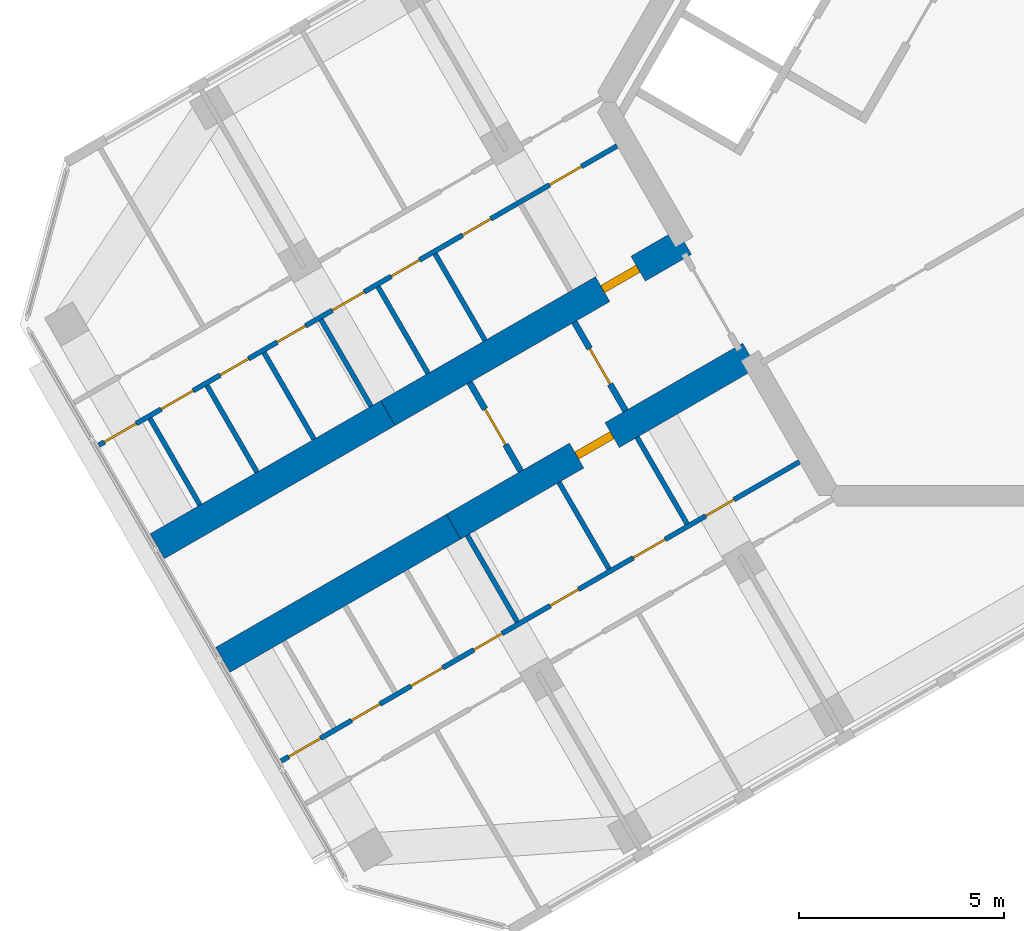
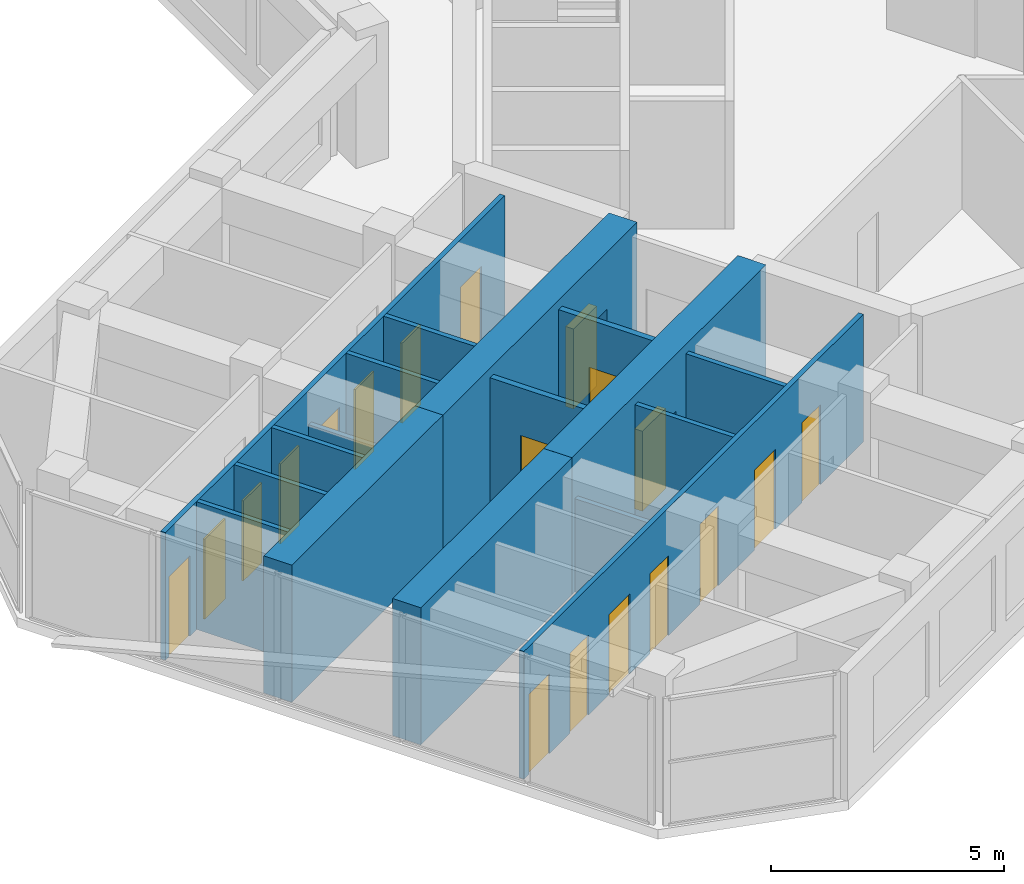
# One storey, part 7 of 14: 19 doors, 17 walls, 19 openings.
"""IFC4 building model written with IfcOpenShell, lengths in metres."""

from ifc_helpers import new_model, si_unit, direction, frame, frame_2d, origin, place, context, subcontext, project, spatial, rectangle, extrude, material, layer, layer_set, type_object, element, fill, save


model = new_model("IFC4")

# Units and contexts
model_context = context("Model", 3, precision=1e-05, world=origin(), true_north=direction((0.0, 1.0)))
body_context = subcontext(model_context, "Body", "Model", "MODEL_VIEW")
ifc_project = project(units=[si_unit("LENGTHUNIT", "METRE"), si_unit("AREAUNIT", "SQUARE_METRE"), si_unit("VOLUMEUNIT", "CUBIC_METRE"), si_unit("PLANEANGLEUNIT", "RADIAN"), si_unit("MASSUNIT", "GRAM", prefix="KILO")], contexts=[model_context])

# Site, building, storey
site_placement = place(None, origin())
site = spatial("IfcSite", under=ifc_project, at=site_placement, CompositionType="ELEMENT")
building_placement = place(site_placement, origin())
building = spatial("IfcBuilding", under=site, at=building_placement, Name="Kosmar Iwan School Tower", CompositionType="ELEMENT")
storey_placement = place(building_placement, frame((0.0, 0.0, 292.60009765625)))
storey = spatial("IfcBuildingStorey", under=building, at=storey_placement, Name="L74", CompositionType="ELEMENT", Elevation=292.60009765625)

# Wall, opening, door
ifc_material_1 = material(Name="Concrete C50/60", Category="concrete")
ifc_layer_1 = layer(ifc_material_1, 0.699951171875)
ifc_layer_set_1 = layer_set([ifc_layer_1], Name="Corridor buttress wall 700")
wall_type_1 = type_object("IfcWallType", Name="Corridor buttress wall 700", PredefinedType="SHEAR", material=ifc_layer_set_1)
wall_1_placement = place(storey_placement, frame((-7.513916015625, -6.185546875, 0.0), z_axis=(0.0, 0.0, 1.0), x_axis=(-0.866019549707, -0.500010139422, 0.0)))
wall_1 = element("IfcWall", 1, at=wall_1_placement, inside=storey, type_object=wall_type_1, Name="Corridor wall BL", PredefinedType="SHEAR", context=body_context, shape_type="SweptSolid", body=[
    extrude(rectangle(XDim=8.349853515625, YDim=0.699951171875, at=frame_2d((4.1748046875, 0.0))), origin(), (0.0, 0.0, 1.0), 3.599853515625),
])
opening_1_placement = place(wall_1_placement, frame((3.8798828125, 0.0, 0.0)))
opening_1 = element("IfcOpeningElement", 2, at=opening_1_placement, cuts=wall_1, Name="Opening D1", PredefinedType="OPENING", context=body_context, shape_type="SweptSolid", body=[
    extrude(rectangle(XDim=1.0, YDim=2.10009765625, at=frame_2d((0.5, 1.050048828125))), frame((0.0, 0.362060546875, 0.0), z_axis=(0.0, -1.0, 0.0), x_axis=(1.0, 0.0, 0.0)), (0.0, 0.0, 1.0), 0.723876953125),
])
ifc_material_2 = material(Name="Timber fire door in steel frame", Category="steel")
door_type_1 = type_object("IfcDoorType", Name="Flat entrance door 1000x2100", OperationType="SINGLE_SWING_LEFT", PredefinedType="DOOR", material=ifc_material_2)
door_1_placement = place(opening_1_placement, origin())
door_1 = element("IfcDoor", 3, at=door_1_placement, inside=storey, type_object=door_type_1, Name="Flat L74-BL1 entrance door", OperationType="SINGLE_SWING_LEFT", OverallHeight=2.10009765625, OverallWidth=1.0, PredefinedType="DOOR", context=body_context, shape_type="SweptSolid", body=[
    extrude(rectangle(XDim=1.0, YDim=2.10009765625, at=frame_2d((0.5, 1.050048828125))), frame((0.0, 0.10009765625, 0.0), z_axis=(0.0, -1.0, 0.0), x_axis=(1.0, 0.0, 0.0)), (0.0, 0.0, 1.0), 0.199951171875),
])
fill(opening_1, door_1)

# Wall
wall_2_placement = place(storey_placement, frame((-14.7451171875, -10.360595703125, 0.0), z_axis=(0.0, 0.0, 1.0), x_axis=(-0.866027848477, -0.499995765644, 0.0)))
element("IfcWall", 4, at=wall_2_placement, inside=storey, type_object=wall_type_1, Name="Corridor wall BL bay 2", PredefinedType="SHEAR", context=body_context, shape_type="SweptSolid", body=[
    extrude(rectangle(XDim=6.4951171875, YDim=0.699951171875, at=frame_2d((3.24755859375, 0.0))), origin(), (0.0, 0.0, 1.0), 3.599853515625),
])

# Wall, opening, door
wall_3_placement = place(storey_placement, frame((-9.11376953125, -3.414306640625, 0.0), z_axis=(0.0, 0.0, 1.0), x_axis=(-0.866026859388, -0.499997478812, 0.0)))
wall_3 = element("IfcWall", 5, at=wall_3_placement, inside=storey, type_object=wall_type_1, Name="Corridor wall BR", PredefinedType="SHEAR", context=body_context, shape_type="SweptSolid", body=[
    extrude(rectangle(XDim=8.35009765625, YDim=0.699951171875, at=frame_2d((4.175048828125, 0.0))), origin(), (0.0, 0.0, 1.0), 3.599853515625),
])
opening_2_placement = place(wall_3_placement, frame((1.300048828125, 0.0, 0.0)))
opening_2 = element("IfcOpeningElement", 6, at=opening_2_placement, cuts=wall_3, Name="Opening D1", PredefinedType="OPENING", context=body_context, shape_type="SweptSolid", body=[
    extrude(rectangle(XDim=1.0, YDim=2.10009765625, at=frame_2d((0.5, 1.050048828125))), frame((0.0, 0.362060546875, 0.0), z_axis=(0.0, -1.0, 0.0), x_axis=(1.0, 0.0, 0.0)), (0.0, 0.0, 1.0), 0.723876953125),
])
door_2_placement = place(opening_2_placement, origin())
door_2 = element("IfcDoor", 7, at=door_2_placement, inside=storey, type_object=door_type_1, Name="Flat L74-BR1 entrance door", OperationType="SINGLE_SWING_RIGHT", OverallHeight=2.10009765625, OverallWidth=1.0, PredefinedType="DOOR", context=body_context, shape_type="SweptSolid", body=[
    extrude(rectangle(XDim=1.0, YDim=2.10009765625, at=frame_2d((0.5, 1.050048828125))), frame((0.0, 0.10009765625, 0.0), z_axis=(0.0, -1.0, 0.0), x_axis=(1.0, 0.0, 0.0)), (0.0, 0.0, 1.0), 0.199951171875),
])
fill(opening_2, door_2)

# Wall
wall_4_placement = place(storey_placement, frame((-16.34521484375, -7.58935546875, 0.0), z_axis=(0.0, 0.0, 1.0), x_axis=(-0.866018451174, -0.500012042081, 0.0)))
element("IfcWall", 8, at=wall_4_placement, inside=storey, type_object=wall_type_1, Name="Corridor wall BR bay 2", PredefinedType="SHEAR", context=body_context, shape_type="SweptSolid", body=[
    extrude(rectangle(XDim=6.494873046875, YDim=0.699951171875, at=frame_2d((3.24755859375, 0.0))), origin(), (0.0, 0.0, 1.0), 3.599853515625),
])

# Wall, opening, door
ifc_material_3 = material(Name="Gypsum board on steel studs, fire-rated", Category="steel")
ifc_layer_2 = layer(ifc_material_3, 0.14990234375)
ifc_layer_set_2 = layer_set([ifc_layer_2], Name="Corridor end wall 150")
wall_type_2 = type_object("IfcWallType", Name="Corridor end wall 150", PredefinedType="PARTITIONING", material=ifc_layer_set_2)
wall_5_placement = place(storey_placement, frame((-14.3515625, -6.842529296875, 0.0), z_axis=(0.0, 0.0, 1.0), x_axis=(0.500004234368, -0.866022959057, 0.0)))
wall_5 = element("IfcWall", 9, at=wall_5_placement, inside=storey, type_object=wall_type_2, Name="Partition L74-B-CE", PredefinedType="PARTITIONING", context=body_context, shape_type="SweptSolid", body=[
    extrude(rectangle(XDim=2.5, YDim=0.14990234375, at=frame_2d((1.25, 0.0))), origin(), (0.0, 0.0, 1.0), 3.349853515625),
])
opening_3_placement = place(wall_5_placement, frame((0.75, 0.0, 0.0)))
opening_3 = element("IfcOpeningElement", 10, at=opening_3_placement, cuts=wall_5, Name="Opening D13", PredefinedType="OPENING", context=body_context, shape_type="SweptSolid", body=[
    extrude(rectangle(XDim=1.0, YDim=2.10009765625, at=frame_2d((0.5, 1.050048828125))), frame((0.0, 0.0869140625, 0.0), z_axis=(0.0, -1.0, 0.0), x_axis=(1.0, 0.0, 0.0)), (0.0, 0.0, 1.0), 0.173828125),
])
ifc_material_4 = material(Name="Timber fire door with vision panel", Category="wood")
door_type_2 = type_object("IfcDoorType", Name="Corridor end door 1000x2100", OperationType="SINGLE_SWING_LEFT", PredefinedType="DOOR", material=ifc_material_4)
door_3_placement = place(opening_3_placement, origin())
door_3 = element("IfcDoor", 11, at=door_3_placement, inside=storey, type_object=door_type_2, Name="Prayer room door L74-B", OperationType="SINGLE_SWING_LEFT", OverallHeight=2.10009765625, OverallWidth=1.0, PredefinedType="DOOR", context=body_context, shape_type="SweptSolid", body=[
    extrude(rectangle(XDim=1.0, YDim=2.10009765625, at=frame_2d((0.5, 1.050048828125))), frame((0.0, 0.02490234375, 0.0), z_axis=(0.0, -1.0, 0.0), x_axis=(1.0, 0.0, 0.0)), (0.0, 0.0, 1.0), 0.050048828125),
])
fill(opening_3, door_3)

wall_6_placement = place(storey_placement, frame((-11.796630859375, -5.367431640625, 0.0), z_axis=(0.0, 0.0, 1.0), x_axis=(0.500004234368, -0.866022959057, 0.0)))
wall_6 = element("IfcWall", 12, at=wall_6_placement, inside=storey, type_object=wall_type_2, Name="Partition L74-B-HW", PredefinedType="PARTITIONING", context=body_context, shape_type="SweptSolid", body=[
    extrude(rectangle(XDim=2.5, YDim=0.14990234375, at=frame_2d((1.25, 0.0))), origin(), (0.0, 0.0, 1.0), 3.349853515625),
])
opening_4_placement = place(wall_6_placement, frame((0.75, 0.0, 0.0)))
opening_4 = element("IfcOpeningElement", 13, at=opening_4_placement, cuts=wall_6, Name="Opening D13", PredefinedType="OPENING", context=body_context, shape_type="SweptSolid", body=[
    extrude(rectangle(XDim=1.0, YDim=2.10009765625, at=frame_2d((0.5, 1.050048828125))), frame((0.0, 0.0869140625, 0.0), z_axis=(0.0, -1.0, 0.0), x_axis=(1.0, 0.0, 0.0)), (0.0, 0.0, 1.0), 0.173828125),
])
door_4_placement = place(opening_4_placement, origin())
door_4 = element("IfcDoor", 14, at=door_4_placement, inside=storey, type_object=door_type_2, Name="Entrance door L74-B", OperationType="SINGLE_SWING_RIGHT", OverallHeight=2.10009765625, OverallWidth=1.0, PredefinedType="DOOR", context=body_context, shape_type="SweptSolid", body=[
    extrude(rectangle(XDim=1.0, YDim=2.10009765625, at=frame_2d((0.5, 1.050048828125))), frame((0.0, 0.02490234375, 0.0), z_axis=(0.0, -1.0, 0.0), x_axis=(1.0, 0.0, 0.0)), (0.0, 0.0, 1.0), 0.050048828125),
])
fill(opening_4, door_4)

# Wall, openings, doors
ifc_material_5 = material(Name="Gypsum board on steel studs", Category="steel")
ifc_layer_3 = layer(ifc_material_5, 0.1201171875)
ifc_layer_set_3 = layer_set([ifc_layer_3], Name="Dwelling partition 120")
wall_type_3 = type_object("IfcWallType", Name="Dwelling partition 120", PredefinedType="PARTITIONING", material=ifc_layer_set_3)
wall_7_placement = place(storey_placement, frame((-6.305419921875, -8.77880859375, 0.0), z_axis=(0.0, 0.0, 1.0), x_axis=(-0.866022348096, -0.50000529257, 0.0)))
wall_7 = element("IfcWall", 15, at=wall_7_placement, inside=storey, type_object=wall_type_3, Name="Partition L74-BL1-W1", PredefinedType="PARTITIONING", context=body_context, shape_type="SweptSolid", body=[
    extrude(rectangle(XDim=14.594970703125, YDim=0.1201171875, at=frame_2d((7.29736328125, 0.0))), origin(), (0.0, 0.0, 1.0), 3.349853515625),
])
opening_5_placement = place(wall_7_placement, frame((1.840087890625, 0.0, 0.0)))
opening_5 = element("IfcOpeningElement", 16, at=opening_5_placement, cuts=wall_7, Name="Opening D3", PredefinedType="OPENING", context=body_context, shape_type="SweptSolid", body=[
    extrude(rectangle(XDim=0.800048828125, YDim=2.10009765625, at=frame_2d((0.39990234375, 1.050048828125))), frame((0.0, 0.072021484375, 0.0), z_axis=(0.0, -1.0, 0.0), x_axis=(1.0, 0.0, 0.0)), (0.0, 0.0, 1.0), 0.14404296875),
])
opening_6_placement = place(wall_7_placement, frame((3.780029296875, 0.0, 0.0)))
opening_6 = element("IfcOpeningElement", 17, at=opening_6_placement, cuts=wall_7, Name="Opening D2", PredefinedType="OPENING", context=body_context, shape_type="SweptSolid", body=[
    extrude(rectangle(XDim=0.89990234375, YDim=2.10009765625, at=frame_2d((0.449951171875, 1.050048828125))), frame((0.0, 0.072021484375, 0.0), z_axis=(0.0, -1.0, 0.0), x_axis=(1.0, 0.0, 0.0)), (0.0, 0.0, 1.0), 0.14404296875),
])
opening_7_placement = place(wall_7_placement, frame((6.221435546875, 0.0, 0.0)))
opening_7 = element("IfcOpeningElement", 18, at=opening_7_placement, cuts=wall_7, Name="Opening D3", PredefinedType="OPENING", context=body_context, shape_type="SweptSolid", body=[
    extrude(rectangle(XDim=0.800048828125, YDim=2.10009765625, at=frame_2d((0.39990234375, 1.050048828125))), frame((0.0, 0.072021484375, 0.0), z_axis=(0.0, -1.0, 0.0), x_axis=(1.0, 0.0, 0.0)), (0.0, 0.0, 1.0), 0.14404296875),
])
opening_8_placement = place(wall_7_placement, frame((8.37353515625, 0.0, 0.0)))
opening_8 = element("IfcOpeningElement", 19, at=opening_8_placement, cuts=wall_7, Name="Opening D3", PredefinedType="OPENING", context=body_context, shape_type="SweptSolid", body=[
    extrude(rectangle(XDim=0.800048828125, YDim=2.10009765625, at=frame_2d((0.39990234375, 1.050048828125))), frame((0.0, 0.072021484375, 0.0), z_axis=(0.0, -1.0, 0.0), x_axis=(1.0, 0.0, 0.0)), (0.0, 0.0, 1.0), 0.14404296875),
])
opening_9_placement = place(wall_7_placement, frame((10.04541015625, 0.0, 0.0)))
opening_9 = element("IfcOpeningElement", 20, at=opening_9_placement, cuts=wall_7, Name="Opening D2", PredefinedType="OPENING", context=body_context, shape_type="SweptSolid", body=[
    extrude(rectangle(XDim=0.89990234375, YDim=2.10009765625, at=frame_2d((0.449951171875, 1.050048828125))), frame((0.0, 0.072021484375, 0.0), z_axis=(0.0, -1.0, 0.0), x_axis=(1.0, 0.0, 0.0)), (0.0, 0.0, 1.0), 0.14404296875),
])
opening_10_placement = place(wall_7_placement, frame((11.8173828125, 0.0, 0.0)))
opening_10 = element("IfcOpeningElement", 21, at=opening_10_placement, cuts=wall_7, Name="Opening D3", PredefinedType="OPENING", context=body_context, shape_type="SweptSolid", body=[
    extrude(rectangle(XDim=0.800048828125, YDim=2.10009765625, at=frame_2d((0.39990234375, 1.050048828125))), frame((0.0, 0.072021484375, 0.0), z_axis=(0.0, -1.0, 0.0), x_axis=(1.0, 0.0, 0.0)), (0.0, 0.0, 1.0), 0.14404296875),
])
opening_11_placement = place(wall_7_placement, frame((13.489013671875, 0.0, 0.0)))
opening_11 = element("IfcOpeningElement", 22, at=opening_11_placement, cuts=wall_7, Name="Opening D2", PredefinedType="OPENING", context=body_context, shape_type="SweptSolid", body=[
    extrude(rectangle(XDim=0.89990234375, YDim=2.10009765625, at=frame_2d((0.449951171875, 1.050048828125))), frame((0.0, 0.072021484375, 0.0), z_axis=(0.0, -1.0, 0.0), x_axis=(1.0, 0.0, 0.0)), (0.0, 0.0, 1.0), 0.14404296875),
])
ifc_material_6 = material(Name="Timber door in timber frame", Category="wood")
door_type_3 = type_object("IfcDoorType", Name="Internal door 900x2100", OperationType="SINGLE_SWING_LEFT", PredefinedType="DOOR", material=ifc_material_6)
door_5_placement = place(opening_6_placement, origin())
door_5 = element("IfcDoor", 23, at=door_5_placement, inside=storey, type_object=door_type_3, Name="Entrance hall door L74-BL1-S2", OperationType="SINGLE_SWING_LEFT", OverallHeight=2.10009765625, OverallWidth=0.89990234375, PredefinedType="DOOR", context=body_context, shape_type="SweptSolid", body=[
    extrude(rectangle(XDim=0.89990234375, YDim=2.10009765625, at=frame_2d((0.449951171875, 1.050048828125))), frame((0.0, 0.02490234375, 0.0), z_axis=(0.0, -1.0, 0.0), x_axis=(1.0, 0.0, 0.0)), (0.0, 0.0, 1.0), 0.050048828125),
])
fill(opening_6, door_5)
door_6_placement = place(opening_9_placement, origin())
door_6 = element("IfcDoor", 24, at=door_6_placement, inside=storey, type_object=door_type_3, Name="Pantry door L74-BL1-S5", OperationType="SINGLE_SWING_RIGHT", OverallHeight=2.10009765625, OverallWidth=0.89990234375, PredefinedType="DOOR", context=body_context, shape_type="SweptSolid", body=[
    extrude(rectangle(XDim=0.89990234375, YDim=2.10009765625, at=frame_2d((0.449951171875, 1.050048828125))), frame((0.0, 0.02490234375, 0.0), z_axis=(0.0, -1.0, 0.0), x_axis=(1.0, 0.0, 0.0)), (0.0, 0.0, 1.0), 0.050048828125),
])
fill(opening_9, door_6)
door_7_placement = place(opening_11_placement, origin())
door_7 = element("IfcDoor", 25, at=door_7_placement, inside=storey, type_object=door_type_3, Name="Utility room door L74-BL1-S7", OperationType="SINGLE_SWING_RIGHT", OverallHeight=2.10009765625, OverallWidth=0.89990234375, PredefinedType="DOOR", context=body_context, shape_type="SweptSolid", body=[
    extrude(rectangle(XDim=0.89990234375, YDim=2.10009765625, at=frame_2d((0.449951171875, 1.050048828125))), frame((0.0, 0.02490234375, 0.0), z_axis=(0.0, -1.0, 0.0), x_axis=(1.0, 0.0, 0.0)), (0.0, 0.0, 1.0), 0.050048828125),
])
fill(opening_11, door_7)
ifc_material_7 = material(Name="Timber door in timber frame", Category="wood")
door_type_4 = type_object("IfcDoorType", Name="Sanitary room door 800x2100", OperationType="SINGLE_SWING_LEFT", PredefinedType="DOOR", material=ifc_material_7)
door_8_placement = place(opening_5_placement, origin())
door_8 = element("IfcDoor", 26, at=door_8_placement, inside=storey, type_object=door_type_4, Name="Store door L74-BL1-S1", OperationType="SINGLE_SWING_LEFT", OverallHeight=2.10009765625, OverallWidth=0.800048828125, PredefinedType="DOOR", context=body_context, shape_type="SweptSolid", body=[
    extrude(rectangle(XDim=0.800048828125, YDim=2.10009765625, at=frame_2d((0.39990234375, 1.050048828125))), frame((0.0, 0.02490234375, 0.0), z_axis=(0.0, -1.0, 0.0), x_axis=(1.0, 0.0, 0.0)), (0.0, 0.0, 1.0), 0.050048828125),
])
fill(opening_5, door_8)
door_9_placement = place(opening_7_placement, origin())
door_9 = element("IfcDoor", 27, at=door_9_placement, inside=storey, type_object=door_type_4, Name="Bathroom door L74-BL1-S3", OperationType="SINGLE_SWING_LEFT", OverallHeight=2.10009765625, OverallWidth=0.800048828125, PredefinedType="DOOR", context=body_context, shape_type="SweptSolid", body=[
    extrude(rectangle(XDim=0.800048828125, YDim=2.10009765625, at=frame_2d((0.39990234375, 1.050048828125))), frame((0.0, 0.02490234375, 0.0), z_axis=(0.0, -1.0, 0.0), x_axis=(1.0, 0.0, 0.0)), (0.0, 0.0, 1.0), 0.050048828125),
])
fill(opening_7, door_9)
door_10_placement = place(opening_8_placement, origin())
door_10 = element("IfcDoor", 28, at=door_10_placement, inside=storey, type_object=door_type_4, Name="Shower room door L74-BL1-S4", OperationType="SINGLE_SWING_RIGHT", OverallHeight=2.10009765625, OverallWidth=0.800048828125, PredefinedType="DOOR", context=body_context, shape_type="SweptSolid", body=[
    extrude(rectangle(XDim=0.800048828125, YDim=2.10009765625, at=frame_2d((0.39990234375, 1.050048828125))), frame((0.0, 0.02490234375, 0.0), z_axis=(0.0, -1.0, 0.0), x_axis=(1.0, 0.0, 0.0)), (0.0, 0.0, 1.0), 0.050048828125),
])
fill(opening_8, door_10)
door_11_placement = place(opening_10_placement, origin())
door_11 = element("IfcDoor", 29, at=door_11_placement, inside=storey, type_object=door_type_4, Name="WC door L74-BL1-S6", OperationType="SINGLE_SWING_RIGHT", OverallHeight=2.10009765625, OverallWidth=0.800048828125, PredefinedType="DOOR", context=body_context, shape_type="SweptSolid", body=[
    extrude(rectangle(XDim=0.800048828125, YDim=2.10009765625, at=frame_2d((0.39990234375, 1.050048828125))), frame((0.0, 0.02490234375, 0.0), z_axis=(0.0, -1.0, 0.0), x_axis=(1.0, 0.0, 0.0)), (0.0, 0.0, 1.0), 0.050048828125),
])
fill(opening_10, door_11)

# Walls
for number, where, z_axis, x_axis, name in (
    (30, (-10.26611328125, -8.1787109375, 0.0), (0.0, 0.0, 1.0), (0.500077547548, -0.865980627057, 0.0), "Partition L74-BL1-Y1"),
    (31, (-12.17138671875, -9.27880859375, 0.0), (0.0, 0.0, 1.0), (0.500077547548, -0.865980627057, 0.0), "Partition L74-BL1-Y2"),
):
    element("IfcWall", number, at=place(storey_placement, frame(where, z_axis=z_axis, x_axis=x_axis)), inside=storey, type_object=wall_type_3, Name=name, PredefinedType="PARTITIONING", context=body_context, shape_type="SweptSolid", body=[
        extrude(rectangle(XDim=2.43994140625, YDim=0.1201171875, at=frame_2d((1.219970703125, 0.0))), origin(), (0.0, 0.0, 1.0), 3.349853515625),
    ])
wall_8_placement = place(storey_placement, frame((-14.407958984375, -10.570068359375, 0.0), z_axis=(0.0, 0.0, 1.0), x_axis=(0.500002508028, -0.866023955769, 0.0)))
element("IfcWall", 32, at=wall_8_placement, inside=storey, type_object=wall_type_3, Name="Partition L74-BL1-Y3", PredefinedType="PARTITIONING", context=body_context, shape_type="SweptSolid", body=[
    extrude(rectangle(XDim=2.43994140625, YDim=0.1201171875, at=frame_2d((1.219970703125, 0.0))), origin(), (0.0, 0.0, 1.0), 2.449951171875),
])

# Wall, openings, doors
wall_9_placement = place(storey_placement, frame((-10.75537109375, -1.0712890625, 0.0), z_axis=(0.0, 0.0, 1.0), x_axis=(-0.866029591389, -0.499992746786, 0.0)))
wall_9 = element("IfcWall", 33, at=wall_9_placement, inside=storey, type_object=wall_type_3, Name="Partition L74-BR1-W1", PredefinedType="PARTITIONING", context=body_context, shape_type="SweptSolid", body=[
    extrude(rectangle(XDim=14.594970703125, YDim=0.1201171875, at=frame_2d((7.29736328125, 0.0))), origin(), (0.0, 0.0, 1.0), 3.349853515625),
])
opening_12_placement = place(wall_9_placement, frame((1.0, 0.0, 0.0)))
opening_12 = element("IfcOpeningElement", 34, at=opening_12_placement, cuts=wall_9, Name="Opening D2", PredefinedType="OPENING", context=body_context, shape_type="SweptSolid", body=[
    extrude(rectangle(XDim=0.89990234375, YDim=2.10009765625, at=frame_2d((0.449951171875, 1.050048828125))), frame((0.0, 0.072021484375, 0.0), z_axis=(0.0, -1.0, 0.0), x_axis=(1.0, 0.0, 0.0)), (0.0, 0.0, 1.0), 0.14404296875),
])
opening_13_placement = place(wall_9_placement, frame((3.554931640625, 0.0, 0.0)))
opening_13 = element("IfcOpeningElement", 35, at=opening_13_placement, cuts=wall_9, Name="Opening D3", PredefinedType="OPENING", context=body_context, shape_type="SweptSolid", body=[
    extrude(rectangle(XDim=0.800048828125, YDim=2.10009765625, at=frame_2d((0.39990234375, 1.050048828125))), frame((0.0, 0.072021484375, 0.0), z_axis=(0.0, -1.0, 0.0), x_axis=(1.0, 0.0, 0.0)), (0.0, 0.0, 1.0), 0.14404296875),
])
opening_14_placement = place(wall_9_placement, frame((5.563232421875, 0.0, 0.0)))
opening_14 = element("IfcOpeningElement", 36, at=opening_14_placement, cuts=wall_9, Name="Opening D3", PredefinedType="OPENING", context=body_context, shape_type="SweptSolid", body=[
    extrude(rectangle(XDim=0.800048828125, YDim=2.10009765625, at=frame_2d((0.39990234375, 1.050048828125))), frame((0.0, 0.072021484375, 0.0), z_axis=(0.0, -1.0, 0.0), x_axis=(1.0, 0.0, 0.0)), (0.0, 0.0, 1.0), 0.14404296875),
])
opening_15_placement = place(wall_9_placement, frame((7.1201171875, 0.0, 0.0)))
opening_15 = element("IfcOpeningElement", 37, at=opening_15_placement, cuts=wall_9, Name="Opening D2", PredefinedType="OPENING", context=body_context, shape_type="SweptSolid", body=[
    extrude(rectangle(XDim=0.89990234375, YDim=2.10009765625, at=frame_2d((0.449951171875, 1.050048828125))), frame((0.0, 0.072021484375, 0.0), z_axis=(0.0, -1.0, 0.0), x_axis=(1.0, 0.0, 0.0)), (0.0, 0.0, 1.0), 0.14404296875),
])
opening_16_placement = place(wall_9_placement, frame((8.776611328125, 0.0, 0.0)))
opening_16 = element("IfcOpeningElement", 38, at=opening_16_placement, cuts=wall_9, Name="Opening D3", PredefinedType="OPENING", context=body_context, shape_type="SweptSolid", body=[
    extrude(rectangle(XDim=0.800048828125, YDim=2.10009765625, at=frame_2d((0.39990234375, 1.050048828125))), frame((0.0, 0.072021484375, 0.0), z_axis=(0.0, -1.0, 0.0), x_axis=(1.0, 0.0, 0.0)), (0.0, 0.0, 1.0), 0.14404296875),
])
opening_17_placement = place(wall_9_placement, frame((10.38330078125, 0.0, 0.0)))
opening_17 = element("IfcOpeningElement", 39, at=opening_17_placement, cuts=wall_9, Name="Opening D3", PredefinedType="OPENING", context=body_context, shape_type="SweptSolid", body=[
    extrude(rectangle(XDim=0.800048828125, YDim=2.10009765625, at=frame_2d((0.39990234375, 1.050048828125))), frame((0.0, 0.072021484375, 0.0), z_axis=(0.0, -1.0, 0.0), x_axis=(1.0, 0.0, 0.0)), (0.0, 0.0, 1.0), 0.14404296875),
])
opening_18_placement = place(wall_9_placement, frame((11.93994140625, 0.0, 0.0)))
opening_18 = element("IfcOpeningElement", 40, at=opening_18_placement, cuts=wall_9, Name="Opening D2", PredefinedType="OPENING", context=body_context, shape_type="SweptSolid", body=[
    extrude(rectangle(XDim=0.89990234375, YDim=2.10009765625, at=frame_2d((0.449951171875, 1.050048828125))), frame((0.0, 0.072021484375, 0.0), z_axis=(0.0, -1.0, 0.0), x_axis=(1.0, 0.0, 0.0)), (0.0, 0.0, 1.0), 0.14404296875),
])
opening_19_placement = place(wall_9_placement, frame((13.546630859375, 0.0, 0.0)))
opening_19 = element("IfcOpeningElement", 41, at=opening_19_placement, cuts=wall_9, Name="Opening D2", PredefinedType="OPENING", context=body_context, shape_type="SweptSolid", body=[
    extrude(rectangle(XDim=0.89990234375, YDim=2.10009765625, at=frame_2d((0.449951171875, 1.050048828125))), frame((0.0, 0.072021484375, 0.0), z_axis=(0.0, -1.0, 0.0), x_axis=(1.0, 0.0, 0.0)), (0.0, 0.0, 1.0), 0.14404296875),
])
door_12_placement = place(opening_12_placement, origin())
door_12 = element("IfcDoor", 42, at=door_12_placement, inside=storey, type_object=door_type_3, Name="Entrance hall door L74-BR1-S1", OperationType="SINGLE_SWING_LEFT", OverallHeight=2.10009765625, OverallWidth=0.89990234375, PredefinedType="DOOR", context=body_context, shape_type="SweptSolid", body=[
    extrude(rectangle(XDim=0.89990234375, YDim=2.10009765625, at=frame_2d((0.449951171875, 1.050048828125))), frame((0.0, 0.02490234375, 0.0), z_axis=(0.0, -1.0, 0.0), x_axis=(1.0, 0.0, 0.0)), (0.0, 0.0, 1.0), 0.050048828125),
])
fill(opening_12, door_12)
door_13_placement = place(opening_15_placement, origin())
door_13 = element("IfcDoor", 43, at=door_13_placement, inside=storey, type_object=door_type_3, Name="Pantry door L74-BR1-S4", OperationType="SINGLE_SWING_RIGHT", OverallHeight=2.10009765625, OverallWidth=0.89990234375, PredefinedType="DOOR", context=body_context, shape_type="SweptSolid", body=[
    extrude(rectangle(XDim=0.89990234375, YDim=2.10009765625, at=frame_2d((0.449951171875, 1.050048828125))), frame((0.0, 0.02490234375, 0.0), z_axis=(0.0, -1.0, 0.0), x_axis=(1.0, 0.0, 0.0)), (0.0, 0.0, 1.0), 0.050048828125),
])
fill(opening_15, door_13)
door_14_placement = place(opening_18_placement, origin())
door_14 = element("IfcDoor", 44, at=door_14_placement, inside=storey, type_object=door_type_3, Name="Utility room door L74-BR1-S7", OperationType="SINGLE_SWING_LEFT", OverallHeight=2.10009765625, OverallWidth=0.89990234375, PredefinedType="DOOR", context=body_context, shape_type="SweptSolid", body=[
    extrude(rectangle(XDim=0.89990234375, YDim=2.10009765625, at=frame_2d((0.449951171875, 1.050048828125))), frame((0.0, 0.02490234375, 0.0), z_axis=(0.0, -1.0, 0.0), x_axis=(1.0, 0.0, 0.0)), (0.0, 0.0, 1.0), 0.050048828125),
])
fill(opening_18, door_14)
door_15_placement = place(opening_19_placement, origin())
door_15 = element("IfcDoor", 45, at=door_15_placement, inside=storey, type_object=door_type_3, Name="Dressing room door L74-BR1-S8", OperationType="SINGLE_SWING_RIGHT", OverallHeight=2.10009765625, OverallWidth=0.89990234375, PredefinedType="DOOR", context=body_context, shape_type="SweptSolid", body=[
    extrude(rectangle(XDim=0.89990234375, YDim=2.10009765625, at=frame_2d((0.449951171875, 1.050048828125))), frame((0.0, 0.02490234375, 0.0), z_axis=(0.0, -1.0, 0.0), x_axis=(1.0, 0.0, 0.0)), (0.0, 0.0, 1.0), 0.050048828125),
])
fill(opening_19, door_15)
door_16_placement = place(opening_13_placement, origin())
door_16 = element("IfcDoor", 46, at=door_16_placement, inside=storey, type_object=door_type_4, Name="Bathroom door L74-BR1-S2", OperationType="SINGLE_SWING_RIGHT", OverallHeight=2.10009765625, OverallWidth=0.800048828125, PredefinedType="DOOR", context=body_context, shape_type="SweptSolid", body=[
    extrude(rectangle(XDim=0.800048828125, YDim=2.10009765625, at=frame_2d((0.39990234375, 1.050048828125))), frame((0.0, 0.02490234375, 0.0), z_axis=(0.0, -1.0, 0.0), x_axis=(1.0, 0.0, 0.0)), (0.0, 0.0, 1.0), 0.050048828125),
])
fill(opening_13, door_16)
door_17_placement = place(opening_14_placement, origin())
door_17 = element("IfcDoor", 47, at=door_17_placement, inside=storey, type_object=door_type_4, Name="Shower room door L74-BR1-S3", OperationType="SINGLE_SWING_LEFT", OverallHeight=2.10009765625, OverallWidth=0.800048828125, PredefinedType="DOOR", context=body_context, shape_type="SweptSolid", body=[
    extrude(rectangle(XDim=0.800048828125, YDim=2.10009765625, at=frame_2d((0.39990234375, 1.050048828125))), frame((0.0, 0.02490234375, 0.0), z_axis=(0.0, -1.0, 0.0), x_axis=(1.0, 0.0, 0.0)), (0.0, 0.0, 1.0), 0.050048828125),
])
fill(opening_14, door_17)
door_18_placement = place(opening_16_placement, origin())
door_18 = element("IfcDoor", 48, at=door_18_placement, inside=storey, type_object=door_type_4, Name="WC door L74-BR1-S5", OperationType="SINGLE_SWING_LEFT", OverallHeight=2.10009765625, OverallWidth=0.800048828125, PredefinedType="DOOR", context=body_context, shape_type="SweptSolid", body=[
    extrude(rectangle(XDim=0.800048828125, YDim=2.10009765625, at=frame_2d((0.39990234375, 1.050048828125))), frame((0.0, 0.02490234375, 0.0), z_axis=(0.0, -1.0, 0.0), x_axis=(1.0, 0.0, 0.0)), (0.0, 0.0, 1.0), 0.050048828125),
])
fill(opening_16, door_18)
door_19_placement = place(opening_17_placement, origin())
door_19 = element("IfcDoor", 49, at=door_19_placement, inside=storey, type_object=door_type_4, Name="Store door L74-BR1-S6", OperationType="SINGLE_SWING_RIGHT", OverallHeight=2.10009765625, OverallWidth=0.800048828125, PredefinedType="DOOR", context=body_context, shape_type="SweptSolid", body=[
    extrude(rectangle(XDim=0.800048828125, YDim=2.10009765625, at=frame_2d((0.39990234375, 1.050048828125))), frame((0.0, 0.02490234375, 0.0), z_axis=(0.0, -1.0, 0.0), x_axis=(1.0, 0.0, 0.0)), (0.0, 0.0, 1.0), 0.050048828125),
])
fill(opening_17, door_19)

# Walls
for number, where, z_axis, x_axis, name in (
    (50, (-13.97412109375, -5.816162109375, 0.0), (0.0, 0.0, 1.0), (-0.500002508028, 0.866023955769, 0.0), "Partition L74-BR1-Y2"),
    (51, (-15.365478515625, -6.61962890625, 0.0), (0.0, 0.0, 1.0), (-0.500002508028, 0.866023955769, 0.0), "Partition L74-BR1-Y3"),
):
    element("IfcWall", number, at=place(storey_placement, frame(where, z_axis=z_axis, x_axis=x_axis)), inside=storey, type_object=wall_type_3, Name=name, PredefinedType="PARTITIONING", context=body_context, shape_type="SweptSolid", body=[
        extrude(rectangle(XDim=2.43994140625, YDim=0.1201171875, at=frame_2d((1.219970703125, 0.0))), origin(), (0.0, 0.0, 1.0), 3.349853515625),
    ])
wall_10_placement = place(storey_placement, frame((-16.7568359375, -7.4228515625, 0.0), z_axis=(0.0, 0.0, 1.0), x_axis=(-0.500002508028, 0.866023955769, 0.0)))
element("IfcWall", 52, at=wall_10_placement, inside=storey, type_object=wall_type_3, Name="Partition L74-BR1-Y4", PredefinedType="PARTITIONING", context=body_context, shape_type="SweptSolid", body=[
    extrude(rectangle(XDim=2.43994140625, YDim=0.1201171875, at=frame_2d((1.219970703125, 0.0))), origin(), (0.0, 0.0, 1.0), 2.449951171875),
])
wall_11_placement = place(storey_placement, frame((-18.148193359375, -8.226318359375, 0.0), z_axis=(0.0, 0.0, 1.0), x_axis=(-0.500034220881, 0.866005645448, 0.0)))
element("IfcWall", 53, at=wall_11_placement, inside=storey, type_object=wall_type_3, Name="Partition L74-BR1-Y5", PredefinedType="PARTITIONING", context=body_context, shape_type="SweptSolid", body=[
    extrude(rectangle(XDim=2.440185546875, YDim=0.1201171875, at=frame_2d((1.22021484375, 0.0))), origin(), (0.0, 0.0, 1.0), 3.349853515625),
])
wall_12_placement = place(storey_placement, frame((-19.539794921875, -9.029541015625, 0.0), z_axis=(0.0, 0.0, 1.0), x_axis=(-0.500002508028, 0.866023955769, 0.0)))
element("IfcWall", 54, at=wall_12_placement, inside=storey, type_object=wall_type_3, Name="Partition L74-BR1-Y6", PredefinedType="PARTITIONING", context=body_context, shape_type="SweptSolid", body=[
    extrude(rectangle(XDim=2.43994140625, YDim=0.1201171875, at=frame_2d((1.219970703125, 0.0))), origin(), (0.0, 0.0, 1.0), 3.349853515625),
])
wall_13_placement = place(storey_placement, frame((-20.93115234375, -9.8330078125, 0.0), z_axis=(0.0, 0.0, 1.0), x_axis=(-0.499959183527, 0.866048967903, 0.0)))
element("IfcWall", 55, at=wall_13_placement, inside=storey, type_object=wall_type_3, Name="Partition L74-BR1-Y7", PredefinedType="PARTITIONING", context=body_context, shape_type="SweptSolid", body=[
    extrude(rectangle(XDim=2.440185546875, YDim=0.1201171875, at=frame_2d((1.22021484375, 0.0))), origin(), (0.0, 0.0, 1.0), 3.349853515625),
])

save(model, "model.ifc")
